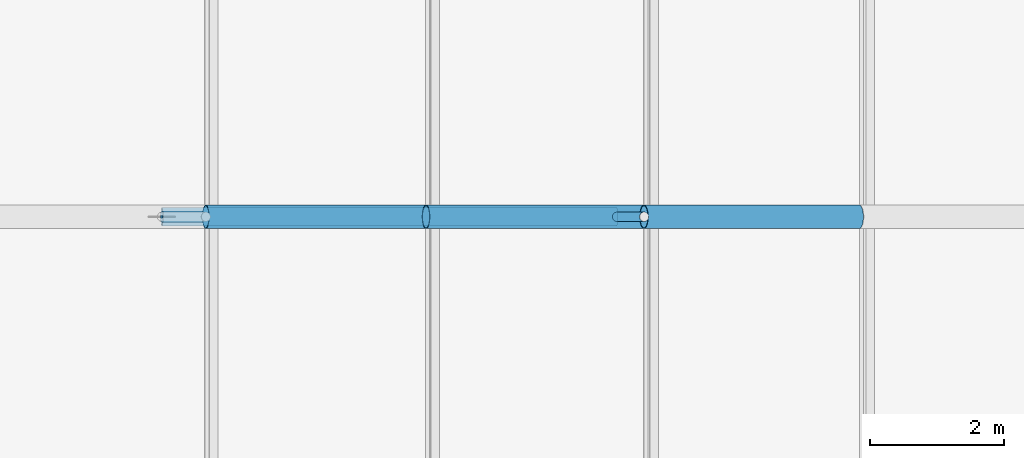
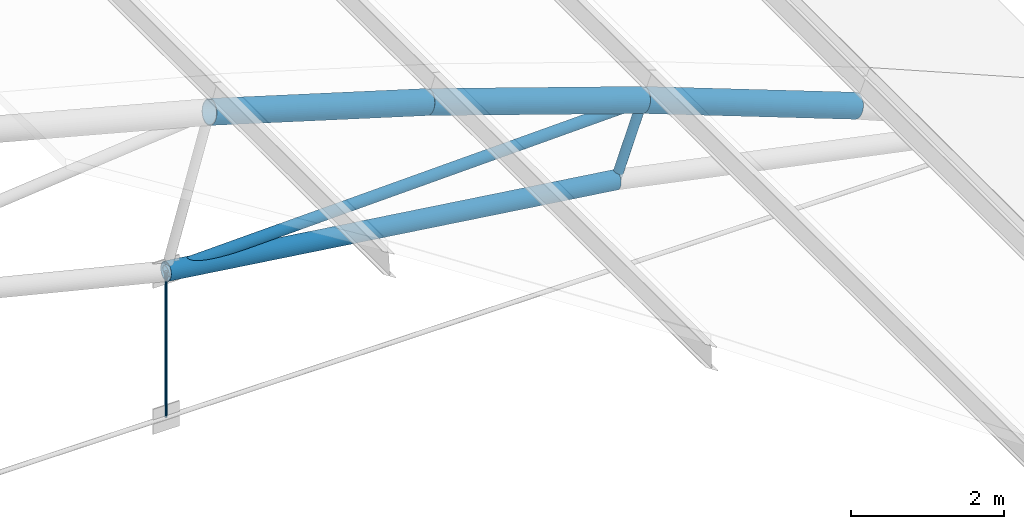
# One storey, part 97 of 321: 7 members.
"""IFC4 building model written with IfcOpenShell, lengths in metres."""

from ifc_helpers import new_model, si_unit, direction, frame, origin, origin_2d, place, context, subcontext, project, spatial, circle, hollow_circle, extrude, material, material_profile, profile_set, type_object, element, save


model = new_model("IFC4")

# Units and contexts
model_context = context("Model", 3, precision=1e-05, world=origin(), true_north=direction((0.0, 1.0)))
body_context = subcontext(model_context, "Body", "Model", "MODEL_VIEW")
ifc_project = project(units=[si_unit("LENGTHUNIT", "METRE"), si_unit("AREAUNIT", "SQUARE_METRE"), si_unit("VOLUMEUNIT", "CUBIC_METRE"), si_unit("PLANEANGLEUNIT", "RADIAN"), si_unit("MASSUNIT", "GRAM", prefix="KILO")], contexts=[model_context])

# Site, building, storey
site_placement = place(None, origin())
site = spatial("IfcSite", under=ifc_project, at=site_placement, CompositionType="ELEMENT")
building_placement = place(site_placement, origin())
building = spatial("IfcBuilding", under=site, at=building_placement, Name="Ravi Spectrum Wholesale Market", CompositionType="ELEMENT")
storey_placement = place(building_placement, frame((0.0, 0.0, 10.800048828125)))
storey = spatial("IfcBuildingStorey", under=building, at=storey_placement, Name="L02", CompositionType="ELEMENT", Elevation=10.800048828125)

# Members
ifc_material_1 = material(Name="Steel S355", Category="steel")
ifc_material_profile_1 = material_profile(ifc_material_1, hollow_circle(Radius=0.06982421875, WallThickness=0.0048828125, at=origin_2d()))
ifc_profile_set_1 = profile_set([ifc_material_profile_1], Name="Steel S355")
member_type_1 = type_object("IfcMemberType", Name="CHS 139.7x5 post", PredefinedType="POST", material=ifc_profile_set_1)
member_1_placement = place(storey_placement, frame((103.636962890625, 90.0, 2.56494140625), z_axis=(-0.338114270461, 0.0, -0.941105063269), x_axis=(0.0, -1.0, 0.0)))
element("IfcMember", 1, at=member_1_placement, inside=storey, type_object=member_type_1, Name="H1-MB-L02-470", PredefinedType="POST", context=body_context, shape_type="SweptSolid", body=[
    extrude(hollow_circle(Radius=0.06982421875, WallThickness=0.0048828125, at=origin_2d()), origin(), (0.0, 0.0, 1.0), 1.199951171875),
])
ifc_material_2 = material(Name="Steel S355", Category="steel")
ifc_material_profile_2 = material_profile(ifc_material_2, hollow_circle(Radius=0.084228515625, WallThickness=0.00634765625, at=origin_2d()))
ifc_profile_set_2 = profile_set([ifc_material_profile_2], Name="Steel S355")
member_type_2 = type_object("IfcMemberType", Name="CHS 168.3x6.3 brace", PredefinedType="BRACE", material=ifc_profile_set_2)
member_2_placement = place(storey_placement, frame((103.636962890625, 90.0, 2.56494140625), z_axis=(-0.999561599338, 0.0, -0.029607585673), x_axis=(0.0, -1.0, 0.0)))
element("IfcMember", 2, at=member_2_placement, inside=storey, type_object=member_type_2, Name="H1-MB-L02-480", PredefinedType="BRACE", context=body_context, shape_type="SweptSolid", body=[
    extrude(hollow_circle(Radius=0.084228515625, WallThickness=0.00634765625, at=origin_2d()), origin(), (0.0, 0.0, 1.0), 7.1904296875),
])
ifc_material_3 = material(Name="Steel S355", Category="steel")
ifc_material_profile_3 = material_profile(ifc_material_3, hollow_circle(Radius=0.136474609375, WallThickness=0.010009765625, at=origin_2d()))
ifc_profile_set_3 = profile_set([ifc_material_profile_3], Name="Steel S355")
member_type_3 = type_object("IfcMemberType", Name="CHS 273x10 chord", PredefinedType="CHORD", material=ifc_profile_set_3)
member_3_placement = place(storey_placement, frame((96.44970703125, 90.0, 2.35205078125), z_axis=(0.990990766788, 0.0, -0.133930206233), x_axis=(0.0, 1.0, 0.0)))
element("IfcMember", 3, at=member_3_placement, inside=storey, type_object=member_type_3, Name="H1-MB-L02-458", PredefinedType="CHORD", context=body_context, shape_type="SweptSolid", body=[
    extrude(hollow_circle(Radius=0.136474609375, WallThickness=0.010009765625, at=origin_2d()), origin(), (0.0, 0.0, 1.0), 6.84326171875),
])
ifc_material_4 = material(Name="Steel S355", Category="steel")
ifc_material_profile_4 = material_profile(ifc_material_4, hollow_circle(Radius=0.177734375, WallThickness=0.012451171875, at=origin_2d()))
ifc_profile_set_4 = profile_set([ifc_material_profile_4], Name="Steel S355")
member_type_4 = type_object("IfcMemberType", Name="CHS 355.6x12.5 chord", PredefinedType="CHORD", material=ifc_profile_set_4)
for number, where, z_axis, x_axis, name in (
    (4, (97.103759765625, 90.0, 4.661376953125), (0.957299848506, 0.0, -0.289096869666), (0.0, 1.0, 0.0), "H1-MB-L02-444"),
    (5, (100.388427734375, 90.0, 3.66943359375), (0.946773612235, 0.0, -0.321900182005), (0.0, 1.0, 0.0), "H1-MB-L02-445"),
    (6, (103.636962890625, 90.0, 2.56494140625), (0.935113010382, 0.0, -0.354349626518), (0.0, 1.0, 0.0), "H1-MB-L02-446"),
):
    element("IfcMember", number, at=place(storey_placement, frame(where, z_axis=z_axis, x_axis=x_axis)), inside=storey, type_object=member_type_4, Name=name, PredefinedType="CHORD", context=body_context, shape_type="SweptSolid", body=[
        extrude(hollow_circle(Radius=0.177734375, WallThickness=0.012451171875, at=origin_2d()), origin(), (0.0, 0.0, 1.0), 3.43115234375),
    ])
ifc_material_5 = material(Name="Steel S355", Category="steel")
ifc_material_profile_5 = material_profile(ifc_material_5, circle(Radius=0.01806640625, at=origin_2d()))
ifc_profile_set_5 = profile_set([ifc_material_profile_5], Name="Steel S355")
member_type_5 = type_object("IfcMemberType", Name="ROD 36 hanger", PredefinedType="STRUT", material=ifc_profile_set_5)
member_4_placement = place(storey_placement, frame((96.44970703125, 90.0, 0.023193359375), z_axis=(0.0, 0.0, 1.0), x_axis=(1.0, 0.0, 0.0)))
element("IfcMember", 7, at=member_4_placement, inside=storey, type_object=member_type_5, Name="H1-MB-L02-486", PredefinedType="STRUT", context=body_context, shape_type="SweptSolid", body=[
    extrude(circle(Radius=0.01806640625, at=origin_2d()), origin(), (0.0, 0.0, 1.0), 2.328857421875),
])

save(model, "model.ifc")
